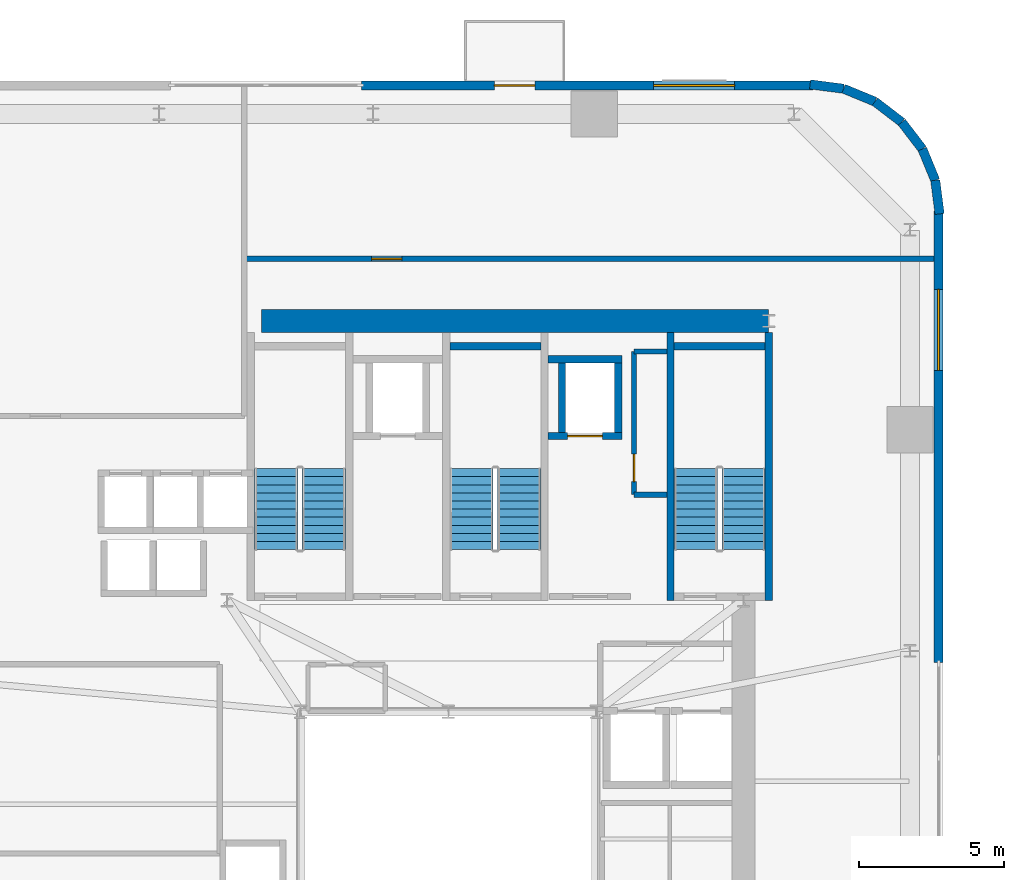
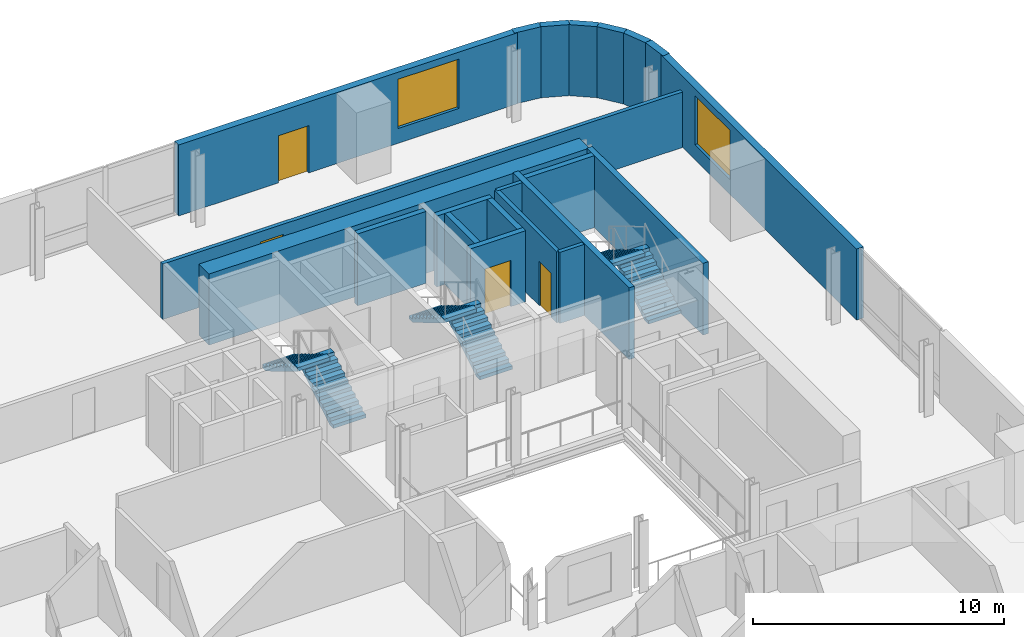
# One storey, part 9 of 11: 21 walls, 6 stair flights, 4 doors, 2 windows, 6 openings, 3 elements without a shape of their own.
"""IFC4 building model written with IfcOpenShell, lengths in metres."""

from ifc_helpers import new_model, si_unit, direction, frame, frame_2d, origin, place, context, subcontext, project, spatial, polyline, rectangle, outline, extrude, source, transform, mapped, material, layer, layer_set, type_object, element, fill, aggregate, save


model = new_model("IFC4")

# Units and contexts
model_context = context("Model", 3, precision=1e-05, world=origin(), true_north=direction((0.0, 1.0)))
body_context = subcontext(model_context, "Body", "Model", "MODEL_VIEW")
ifc_project = project(units=[si_unit("LENGTHUNIT", "METRE"), si_unit("AREAUNIT", "SQUARE_METRE"), si_unit("VOLUMEUNIT", "CUBIC_METRE"), si_unit("PLANEANGLEUNIT", "RADIAN"), si_unit("MASSUNIT", "GRAM", prefix="KILO")], contexts=[model_context])

# Site, building, storey
site_placement = place(None, origin())
site = spatial("IfcSite", under=ifc_project, at=site_placement, CompositionType="ELEMENT")
building_placement = place(site_placement, origin())
building = spatial("IfcBuilding", under=site, at=building_placement, Name="Vardaveli Station Tower", CompositionType="ELEMENT")
storey_placement = place(building_placement, frame((0.0, 0.0, 155.699951171875)))
storey = spatial("IfcBuildingStorey", under=building, at=storey_placement, Name="L40", CompositionType="ELEMENT", Elevation=155.699951171875)

# Wall
ifc_material_1 = material(Name="Concrete C50/60", Category="concrete")
ifc_layer_1 = layer(ifc_material_1, 0.800048828125, Name="Concrete C50/60")
ifc_layer_set_1 = layer_set([ifc_layer_1], Name="Concrete C50/60")
wall_type_1 = type_object("IfcWallType", Name="WAL-CORE-800", PredefinedType="SHEAR", material=ifc_layer_set_1)
shared_shape_1 = source(origin(), body_context, "Body", "SweptSolid", [
    extrude(rectangle(XDim=17.52001953125, YDim=0.800048828125, at=frame_2d((8.760009765625, 0.0))), origin(), (0.0, 0.0, 1.0), 3.4599609375),
])
wall_1_placement = place(storey_placement, frame((29.85009765625, 40.300048828125, 0.0), z_axis=(0.0, 0.0, 1.0), x_axis=(1.0, 0.0, 0.0)))
element("IfcWall", 1, at=wall_1_placement, inside=storey, type_object=wall_type_1, Name="SW-L40-NORTH", PredefinedType="SHEAR", context=body_context, shape_type="MappedRepresentation", body=[
    mapped(shared_shape_1, transform((0.0, 0.0, 0.0), scale=1.0)),
])

# Wall, openings, door, window
ifc_material_2 = material(Name="Precast concrete C45/55", Category="concrete")
ifc_layer_2 = layer(ifc_material_2, 0.320068359375, Name="Precast concrete C45/55")
ifc_layer_set_2 = layer_set([ifc_layer_2], Name="Precast concrete C45/55")
wall_type_2 = type_object("IfcWallType", Name="WAL-EXT-STONE-320", PredefinedType="SOLIDWALL", material=ifc_layer_set_2)
shared_shape_2 = source(origin(), body_context, "Body", "SweptSolid", [
    extrude(rectangle(XDim=15.599853515625, YDim=0.320068359375, at=frame_2d((7.7998046875, 0.0))), origin(), (0.0, 0.0, 1.0), 3.4599609375),
])
wall_2_placement = place(storey_placement, frame((48.89990234375, 48.43994140625, 0.0), z_axis=(0.0, 0.0, 1.0), x_axis=(-1.0, 0.0, 0.0)))
wall_2 = element("IfcWall", 2, at=wall_2_placement, inside=storey, type_object=wall_type_2, Name="EW-L40-N1", PredefinedType="SOLIDWALL", context=body_context, shape_type="MappedRepresentation", body=[
    mapped(shared_shape_2, transform((0.0, 0.0, 0.0), scale=1.0)),
])
shared_shape_3 = source(origin(), body_context, "Body", "SweptSolid", [
    extrude(rectangle(XDim=1.39990234375, YDim=2.300048828125, at=frame_2d((0.699951171875, 1.14990234375))), frame((0.0, 0.169921875, 0.0), z_axis=(0.0, -1.0, 0.0), x_axis=(1.0, 0.0, 0.0)), (0.0, 0.0, 1.0), 0.340087890625),
])
opening_1_placement = place(wall_2_placement, frame((9.6103515625, 0.0, 0.0)))
opening_1 = element("IfcOpeningElement", 3, at=opening_1_placement, cuts=wall_2, Name="Opening D-09", PredefinedType="OPENING", context=body_context, shape_type="MappedRepresentation", body=[
    mapped(shared_shape_3, transform((0.0, 0.0, 0.0), scale=1.0)),
])
shared_shape_4 = source(origin(), body_context, "Body", "SweptSolid", [
    extrude(rectangle(XDim=2.800048828125, YDim=2.39990234375, at=frame_2d((1.39990234375, 1.199951171875))), frame((0.0, 0.169921875, 0.0), z_axis=(0.0, -1.0, 0.0), x_axis=(1.0, 0.0, 0.0)), (0.0, 0.0, 1.0), 0.340087890625),
])
opening_2_placement = place(wall_2_placement, frame((2.705078125, 0.0, 0.719970703125)))
opening_2 = element("IfcOpeningElement", 4, at=opening_2_placement, cuts=wall_2, Name="Opening W-04", PredefinedType="OPENING", context=body_context, shape_type="MappedRepresentation", body=[
    mapped(shared_shape_4, transform((0.0, 0.0, 0.0), scale=1.0)),
])
ifc_material_3 = material(Name="Thermally broken aluminium glass", Category="aluminium")
door_type_1 = type_object("IfcDoorType", Name="DR-LOG-1400x2300", OperationType="DOUBLE_DOOR_SLIDING", PredefinedType="DOOR", material=ifc_material_3)
shared_shape_5 = source(origin(), body_context, "Body", "SweptSolid", [
    extrude(rectangle(XDim=1.39990234375, YDim=2.300048828125, at=frame_2d((0.699951171875, 1.14990234375))), frame((0.0, 0.02490234375, 0.0), z_axis=(0.0, -1.0, 0.0), x_axis=(1.0, 0.0, 0.0)), (0.0, 0.0, 1.0), 0.050048828125),
])
door_1_placement = place(opening_1_placement, frame((1.39990234375, 0.0, 0.0), z_axis=(0.0, 0.0, 1.0), x_axis=(-1.0, 0.0, 0.0)))
door_1 = element("IfcDoor", 5, at=door_1_placement, inside=storey, type_object=door_type_1, Name="DLG-L40-N", OperationType="DOUBLE_DOOR_SLIDING", OverallHeight=2.300048828125, OverallWidth=1.39990234375, PredefinedType="DOOR", context=body_context, shape_type="MappedRepresentation", body=[
    mapped(shared_shape_5, transform((0.0, 0.0, 0.0), scale=1.0)),
])
fill(opening_1, door_1)
ifc_material_4 = material(Name="Low-E solar-control glass", Category="glass")
window_type = type_object("IfcWindowType", Name="WIN-SUITE-2800x2400", PartitioningType="SINGLE_PANEL", PredefinedType="WINDOW", material=ifc_material_4)
shared_shape_6 = source(origin(), body_context, "Body", "SweptSolid", [
    extrude(rectangle(XDim=2.800048828125, YDim=2.39990234375, at=frame_2d((1.39990234375, 1.199951171875))), frame((0.0, 0.030029296875, 0.0), z_axis=(0.0, -1.0, 0.0), x_axis=(1.0, 0.0, 0.0)), (0.0, 0.0, 1.0), 0.06005859375),
])
window_1_placement = place(opening_2_placement, origin())
window_1 = element("IfcWindow", 6, at=window_1_placement, inside=storey, type_object=window_type, Name="WN-L40-N1", OverallHeight=2.39990234375, OverallWidth=2.800048828125, PartitioningType="SINGLE_PANEL", PredefinedType="WINDOW", context=body_context, shape_type="MappedRepresentation", body=[
    mapped(shared_shape_6, transform((0.0, 0.0, 0.0), scale=1.0)),
])
fill(opening_2, window_1)

# Wall, opening, window
shared_shape_7 = source(origin(), body_context, "Body", "SweptSolid", [
    extrude(rectangle(XDim=15.60009765625, YDim=0.320068359375, at=frame_2d((7.800048828125, 0.0))), origin(), (0.0, 0.0, 1.0), 3.4599609375),
])
wall_3_placement = place(storey_placement, frame((53.239990234375, 28.5, 0.0), z_axis=(0.0, 0.0, 1.0), x_axis=(0.0, 1.0, 0.0)))
wall_3 = element("IfcWall", 7, at=wall_3_placement, inside=storey, type_object=wall_type_2, Name="EW-L40-E2", PredefinedType="SOLIDWALL", context=body_context, shape_type="MappedRepresentation", body=[
    mapped(shared_shape_7, transform((0.0, 0.0, 0.0), scale=1.0)),
])
opening_3_placement = place(wall_3_placement, frame((10.094970703125, 0.0, 0.719970703125)))
opening_3 = element("IfcOpeningElement", 8, at=opening_3_placement, cuts=wall_3, Name="Opening W-04", PredefinedType="OPENING", context=body_context, shape_type="MappedRepresentation", body=[
    mapped(shared_shape_4, transform((0.0, 0.0, 0.0), scale=1.0)),
])
window_2_placement = place(opening_3_placement, origin())
window_2 = element("IfcWindow", 9, at=window_2_placement, inside=storey, type_object=window_type, Name="WN-L40-E2", OverallHeight=2.39990234375, OverallWidth=2.800048828125, PartitioningType="SINGLE_PANEL", PredefinedType="WINDOW", context=body_context, shape_type="MappedRepresentation", body=[
    mapped(shared_shape_6, transform((0.0, 0.0, 0.0), scale=1.0)),
])
fill(opening_3, window_2)

# Walls
shared_shape_8 = source(origin(), body_context, "Body", "SweptSolid", [
    extrude(rectangle(XDim=1.1689453125, YDim=0.320068359375, at=frame_2d((0.58447265625, 0.0))), origin(), (0.0, 0.0, 1.0), 3.4599609375),
])
wall_4_placement = place(storey_placement, frame((52.679931640625, 46.2412109375, 0.0), z_axis=(0.0, 0.0, 1.0), x_axis=(-0.608387696831, 0.793639975269, 0.0)))
element("IfcWall", 10, at=wall_4_placement, inside=storey, type_object=wall_type_2, Name="EW-L40-CR3-3", PredefinedType="SOLIDWALL", context=body_context, shape_type="MappedRepresentation", body=[
    mapped(shared_shape_8, transform((0.0, 0.0, 0.0), scale=1.0)),
])
shared_shape_9 = source(origin(), body_context, "Body", "SweptSolid", [
    extrude(rectangle(XDim=1.168701171875, YDim=0.320068359375, at=frame_2d((0.58447265625, 0.0))), origin(), (0.0, 0.0, 1.0), 3.4599609375),
])
wall_5_placement = place(storey_placement, frame((51.96875, 47.1689453125, 0.0), z_axis=(0.0, 0.0, 1.0), x_axis=(-0.793663520347, 0.608356981114, 0.0)))
element("IfcWall", 11, at=wall_5_placement, inside=storey, type_object=wall_type_2, Name="EW-L40-CR3-4", PredefinedType="SOLIDWALL", context=body_context, shape_type="MappedRepresentation", body=[
    mapped(shared_shape_9, transform((0.0, 0.0, 0.0), scale=1.0)),
])
shared_shape_10 = source(origin(), body_context, "Body", "SweptSolid", [
    extrude(rectangle(XDim=1.17041015625, YDim=0.320068359375, at=frame_2d((0.585205078125, 0.0))), origin(), (0.0, 0.0, 1.0), 3.4599609375),
])
for number, where, z_axis, x_axis, name in (
    (12, (53.275634765625, 43.99951171875, 0.0), (0.0, 0.0, 1.0), (-0.128295670475, 0.991735963317, 0.0), "EW-L40-CR3-1"),
    (13, (49.960205078125, 48.325439453125, 0.0), (0.0, 0.0, 1.0), (-0.991735963317, 0.128295670475, 0.0), "EW-L40-CR3-6"),
):
    element("IfcWall", number, at=place(storey_placement, frame(where, z_axis=z_axis, x_axis=x_axis)), inside=storey, type_object=wall_type_2, Name=name, PredefinedType="SOLIDWALL", context=body_context, shape_type="MappedRepresentation", body=[
        mapped(shared_shape_10, transform((0.0, 0.0, 0.0), scale=1.0)),
    ])
shared_shape_11 = source(origin(), body_context, "Body", "SweptSolid", [
    extrude(rectangle(XDim=1.169189453125, YDim=0.320068359375, at=frame_2d((0.58447265625, 0.0))), origin(), (0.0, 0.0, 1.0), 3.4599609375),
])
for number, where, z_axis, x_axis, name in (
    (14, (53.12548828125, 45.16015625, 0.0), (0.0, 0.0, 1.0), (-0.381054331552, 0.924552646638, 0.0), "EW-L40-CR3-2"),
    (15, (51.041259765625, 47.8798828125, 0.0), (0.0, 0.0, 1.0), (-0.924552646638, 0.381054331552, 0.0), "EW-L40-CR3-5"),
):
    element("IfcWall", number, at=place(storey_placement, frame(where, z_axis=z_axis, x_axis=x_axis)), inside=storey, type_object=wall_type_2, Name=name, PredefinedType="SOLIDWALL", context=body_context, shape_type="MappedRepresentation", body=[
        mapped(shared_shape_11, transform((0.0, 0.0, 0.0), scale=1.0)),
    ])
ifc_material_5 = material(Name="Concrete C40/50", Category="concrete")
ifc_layer_3 = layer(ifc_material_5, 0.25, Name="Concrete C40/50")
ifc_layer_set_3 = layer_set([ifc_layer_3], Name="Concrete C40/50")
wall_type_3 = type_object("IfcWallType", Name="WAL-SHAFT-250", PredefinedType="SOLIDWALL", material=ifc_layer_set_3)
shared_shape_12 = source(origin(), body_context, "Body", "SweptSolid", [
    extrude(rectangle(XDim=9.25, YDim=0.25, at=frame_2d((4.625, 0.0))), origin(), (0.0, 0.0, 1.0), 3.5),
])
for number, where, z_axis, x_axis, name in (
    (16, (43.97509765625, 30.64990234375, 0.0), (0.0, 0.0, 1.0), (0.0, 1.0, 0.0), "W-L40-ST-3W"),
    (17, (47.375, 30.64990234375, 0.0), (0.0, 0.0, 1.0), (0.0, 1.0, 0.0), "W-L40-ST-3E"),
):
    element("IfcWall", number, at=place(storey_placement, frame(where, z_axis=z_axis, x_axis=x_axis)), inside=storey, type_object=wall_type_3, Name=name, PredefinedType="SOLIDWALL", context=body_context, shape_type="MappedRepresentation", body=[
        mapped(shared_shape_12, transform((0.0, 0.0, 0.0), scale=1.0)),
    ])
shared_shape_13 = source(origin(), body_context, "Body", "SweptSolid", [
    extrude(rectangle(XDim=3.14990234375, YDim=0.25, at=frame_2d((1.574951171875, 0.0))), origin(), (0.0, 0.0, 1.0), 3.5),
])
for number, where, z_axis, x_axis, name in (
    (18, (36.35009765625, 39.425048828125, 0.0), (0.0, 0.0, 1.0), (1.0, 0.0, 0.0), "W-L40-ST-2N"),
    (19, (44.10009765625, 39.425048828125, 0.0), (0.0, 0.0, 1.0), (1.0, 0.0, 0.0), "W-L40-ST-3N"),
):
    element("IfcWall", number, at=place(storey_placement, frame(where, z_axis=z_axis, x_axis=x_axis)), inside=storey, type_object=wall_type_3, Name=name, PredefinedType="SOLIDWALL", context=body_context, shape_type="MappedRepresentation", body=[
        mapped(shared_shape_13, transform((0.0, 0.0, 0.0), scale=1.0)),
    ])
shared_shape_14 = source(origin(), body_context, "Body", "SweptSolid", [
    extrude(rectangle(XDim=2.400146484375, YDim=0.25, at=frame_2d((1.2001953125, 0.0))), origin(), (0.0, 0.0, 1.0), 3.4599609375),
])
for number, where, z_axis, x_axis, name in (
    (20, (40.22509765625, 36.449951171875, 0.0), (0.0, 0.0, 1.0), (0.0, 1.0, 0.0), "SHW-FFL-02-L40-W"),
    (21, (42.175048828125, 36.449951171875, 0.0), (0.0, 0.0, 1.0), (0.0, 1.0, 0.0), "SHW-FFL-02-L40-E"),
):
    element("IfcWall", number, at=place(storey_placement, frame(where, z_axis=z_axis, x_axis=x_axis)), inside=storey, type_object=wall_type_3, Name=name, PredefinedType="SOLIDWALL", context=body_context, shape_type="MappedRepresentation", body=[
        mapped(shared_shape_14, transform((0.0, 0.0, 0.0), scale=1.0)),
    ])

# Wall, opening, door
shared_shape_15 = source(origin(), body_context, "Body", "SweptSolid", [
    extrude(rectangle(XDim=2.550048828125, YDim=0.25, at=frame_2d((1.27490234375, 0.0))), origin(), (0.0, 0.0, 1.0), 3.4599609375),
])
wall_6_placement = place(storey_placement, frame((39.75, 36.324951171875, 0.0), z_axis=(0.0, 0.0, 1.0), x_axis=(1.0, 0.0, 0.0)))
wall_6 = element("IfcWall", 22, at=wall_6_placement, inside=storey, type_object=wall_type_3, Name="SHW-FFL-02-L40-S", PredefinedType="SOLIDWALL", context=body_context, shape_type="MappedRepresentation", body=[
    mapped(shared_shape_15, transform((0.0, 0.0, 0.0), scale=1.0)),
])
shared_shape_16 = source(origin(), body_context, "Body", "SweptSolid", [
    extrude(rectangle(XDim=1.199951171875, YDim=2.25, at=frame_2d((0.60009765625, 1.125))), frame((0.0, 0.135009765625, 0.0), z_axis=(0.0, -1.0, 0.0), x_axis=(1.0, 0.0, 0.0)), (0.0, 0.0, 1.0), 0.27001953125),
])
opening_4_placement = place(wall_6_placement, frame((0.675048828125, 0.0, 0.0)))
opening_4 = element("IfcOpeningElement", 23, at=opening_4_placement, cuts=wall_6, Name="Opening LD-02", PredefinedType="OPENING", context=body_context, shape_type="MappedRepresentation", body=[
    mapped(shared_shape_16, transform((0.0, 0.0, 0.0), scale=1.0)),
])
ifc_material_6 = material(Name="Brushed stainless steel", Category="steel")
door_type_2 = type_object("IfcDoorType", Name="DR-LD-1200x2250", OperationType="DOUBLE_DOOR_SLIDING", PredefinedType="DOOR", material=ifc_material_6)
shared_shape_17 = source(origin(), body_context, "Body", "SweptSolid", [
    extrude(rectangle(XDim=1.199951171875, YDim=2.25, at=frame_2d((0.60009765625, 1.125))), frame((0.0, 0.02490234375, 0.0), z_axis=(0.0, -1.0, 0.0), x_axis=(1.0, 0.0, 0.0)), (0.0, 0.0, 1.0), 0.050048828125),
])
door_2_placement = place(opening_4_placement, origin())
door_2 = element("IfcDoor", 24, at=door_2_placement, inside=storey, type_object=door_type_2, Name="LD-FFL-02-L40", OperationType="DOUBLE_DOOR_SLIDING", OverallHeight=2.25, OverallWidth=1.199951171875, PredefinedType="DOOR", context=body_context, shape_type="MappedRepresentation", body=[
    mapped(shared_shape_17, transform((0.0, 0.0, 0.0), scale=1.0)),
])
fill(opening_4, door_2)

# Wall
wall_7_placement = place(storey_placement, frame((39.75, 38.97509765625, 0.0), z_axis=(0.0, 0.0, 1.0), x_axis=(1.0, 0.0, 0.0)))
element("IfcWall", 25, at=wall_7_placement, inside=storey, type_object=wall_type_3, Name="SHW-FFL-02-L40-N", PredefinedType="SOLIDWALL", context=body_context, shape_type="MappedRepresentation", body=[
    mapped(shared_shape_15, transform((0.0, 0.0, 0.0), scale=1.0)),
])

# Wall, opening, door
ifc_material_7 = material(Name="Fire-rated gypsum stud partition")
ifc_layer_4 = layer(ifc_material_7, 0.179931640625, Name="Fire-rated gypsum stud partition")
ifc_layer_set_4 = layer_set([ifc_layer_4], Name="Fire-rated gypsum stud partition")
wall_type_4 = type_object("IfcWallType", Name="WAL-CORR-180", PredefinedType="PARTITIONING", material=ifc_layer_set_4)
shared_shape_18 = source(origin(), body_context, "Body", "SweptSolid", [
    extrude(rectangle(XDim=4.949951171875, YDim=0.179931640625, at=frame_2d((2.47509765625, 0.0))), origin(), (0.0, 0.0, 1.0), 3.4599609375),
])
wall_8_placement = place(storey_placement, frame((42.719970703125, 34.300048828125, 0.0), z_axis=(0.0, 0.0, 1.0), x_axis=(0.0, 1.0, 0.0)))
wall_8 = element("IfcWall", 26, at=wall_8_placement, inside=storey, type_object=wall_type_4, Name="W-L40-CBS1-W", PredefinedType="PARTITIONING", context=body_context, shape_type="MappedRepresentation", body=[
    mapped(shared_shape_18, transform((0.0, 0.0, 0.0), scale=1.0)),
])
shared_shape_19 = source(origin(), body_context, "Body", "SweptSolid", [
    extrude(rectangle(XDim=0.949951171875, YDim=2.14990234375, at=frame_2d((0.47509765625, 1.074951171875))), frame((0.0, 0.10009765625, 0.0), z_axis=(0.0, -1.0, 0.0), x_axis=(1.0, 0.0, 0.0)), (0.0, 0.0, 1.0), 0.199951171875),
])
opening_5_placement = place(wall_8_placement, frame((0.449951171875, 0.0, 0.0)))
opening_5 = element("IfcOpeningElement", 27, at=opening_5_placement, cuts=wall_8, Name="Opening D-06", PredefinedType="OPENING", context=body_context, shape_type="MappedRepresentation", body=[
    mapped(shared_shape_19, transform((0.0, 0.0, 0.0), scale=1.0)),
])
ifc_material_8 = material(Name="Oak veneer acoustic fire door")
door_type_3 = type_object("IfcDoorType", Name="DR-GUEST-950x2150", OperationType="NOTDEFINED", PredefinedType="DOOR", material=ifc_material_8)
shared_shape_20 = source(origin(), body_context, "Body", "SweptSolid", [
    extrude(rectangle(XDim=0.949951171875, YDim=2.14990234375, at=frame_2d((0.47509765625, 1.074951171875))), frame((0.0, 0.02490234375, 0.0), z_axis=(0.0, -1.0, 0.0), x_axis=(1.0, 0.0, 0.0)), (0.0, 0.0, 1.0), 0.050048828125),
])
door_3_placement = place(opening_5_placement, origin())
door_3 = element("IfcDoor", 28, at=door_3_placement, inside=storey, type_object=door_type_3, Name="D-L40-HKP", OperationType="SINGLE_SWING_LEFT", OverallHeight=2.14990234375, OverallWidth=0.949951171875, PredefinedType="DOOR", context=body_context, shape_type="MappedRepresentation", body=[
    mapped(shared_shape_20, transform((0.0, 0.0, 0.0), scale=1.0)),
])
fill(opening_5, door_3)

# Walls
shared_shape_21 = source(origin(), body_context, "Body", "SweptSolid", [
    extrude(rectangle(XDim=1.1279296875, YDim=0.179931640625, at=frame_2d((0.56396484375, 0.0))), origin(), (0.0, 0.0, 1.0), 3.4599609375),
])
for number, where, z_axis, x_axis, name in (
    (29, (42.719970703125, 34.300048828125, 0.0), (0.0, 0.0, 1.0), (1.0, 0.0, 0.0), "W-L40-CBS1-S"),
    (30, (42.719970703125, 39.25, 0.0), (0.0, 0.0, 1.0), (1.0, 0.0, 0.0), "W-L40-CBS1-N"),
):
    element("IfcWall", number, at=place(storey_placement, frame(where, z_axis=z_axis, x_axis=x_axis)), inside=storey, type_object=wall_type_4, Name=name, PredefinedType="PARTITIONING", context=body_context, shape_type="MappedRepresentation", body=[
        mapped(shared_shape_21, transform((0.0, 0.0, 0.0), scale=1.0)),
    ])

# Wall, opening, door
shared_shape_22 = source(origin(), body_context, "Body", "SweptSolid", [
    extrude(rectangle(XDim=23.927978515625, YDim=0.179931640625, at=frame_2d((11.9638671875, 0.0))), origin(), (0.0, 0.0, 1.0), 2.7021484375),
])
wall_9_placement = place(storey_placement, frame((29.14990234375, 42.449951171875, 0.0), z_axis=(0.0, 0.0, 1.0), x_axis=(1.0, 0.0, 0.0)))
wall_9 = element("IfcWall", 31, at=wall_9_placement, inside=storey, type_object=wall_type_4, Name="W-L40-NPS", PredefinedType="PARTITIONING", context=body_context, shape_type="MappedRepresentation", body=[
    mapped(shared_shape_22, transform((0.0, 0.0, 0.0), scale=1.0)),
])
shared_shape_23 = source(origin(), body_context, "Body", "SweptSolid", [
    extrude(rectangle(XDim=1.050048828125, YDim=2.199951171875, at=frame_2d((0.52490234375, 1.10009765625))), frame((0.0, 0.10009765625, 0.0), z_axis=(0.0, -1.0, 0.0), x_axis=(1.0, 0.0, 0.0)), (0.0, 0.0, 1.0), 0.199951171875),
])
opening_6_placement = place(wall_9_placement, frame((4.5, 0.0, 0.0)))
opening_6 = element("IfcOpeningElement", 32, at=opening_6_placement, cuts=wall_9, Name="Opening D-05", PredefinedType="OPENING", context=body_context, shape_type="MappedRepresentation", body=[
    mapped(shared_shape_23, transform((0.0, 0.0, 0.0), scale=1.0)),
])
ifc_material_9 = material(Name="Walnut veneer acoustic fire door")
door_type_4 = type_object("IfcDoorType", Name="DR-SUITE-1050x2200", OperationType="NOTDEFINED", PredefinedType="DOOR", material=ifc_material_9)
shared_shape_24 = source(origin(), body_context, "Body", "SweptSolid", [
    extrude(rectangle(XDim=1.050048828125, YDim=2.199951171875, at=frame_2d((0.52490234375, 1.10009765625))), frame((0.0, 0.02490234375, 0.0), z_axis=(0.0, -1.0, 0.0), x_axis=(1.0, 0.0, 0.0)), (0.0, 0.0, 1.0), 0.050048828125),
])
door_4_placement = place(opening_6_placement, origin())
door_4 = element("IfcDoor", 33, at=door_4_placement, inside=storey, type_object=door_type_4, Name="D-L40-NP1", OperationType="SINGLE_SWING_RIGHT", OverallHeight=2.199951171875, OverallWidth=1.050048828125, PredefinedType="DOOR", context=body_context, shape_type="MappedRepresentation", body=[
    mapped(shared_shape_24, transform((0.0, 0.0, 0.0), scale=1.0)),
])
fill(opening_6, door_4)

# Stair, stair flights
stair_type = type_object("IfcStairType", Name="STR-CORE-1500", PredefinedType="HALF_TURN_STAIR", material=ifc_material_5)
stair_1_placement = place(storey_placement, origin())
stair_1 = element("IfcStair", 34, at=stair_1_placement, inside=storey, type_object=stair_type, Name="L40 ST-1", PredefinedType="HALF_TURN_STAIR")
stair_flight_type = type_object("IfcStairFlightType", Name="SFL-CORE-1500", PredefinedType="STRAIGHT", material=ifc_material_5)
shared_shape_25 = source(origin(), body_context, "Body", "SweptSolid", [
    extrude(outline(polyline([(0.0, 0.0), (0.0, 0.168212890625), (0.280029296875, 0.168212890625), (0.280029296875, 0.33642578125), (0.56005859375, 0.33642578125), (0.56005859375, 0.504638671875), (0.840087890625, 0.504638671875), (0.840087890625, 0.672607421875), (1.1201171875, 0.672607421875), (1.1201171875, 0.8408203125), (1.39990234375, 0.8408203125), (1.39990234375, 1.009033203125), (1.679931640625, 1.009033203125), (1.679931640625, 1.17724609375), (1.9599609375, 1.17724609375), (1.9599609375, 1.345458984375), (2.239990234375, 1.345458984375), (2.239990234375, 1.513671875), (2.52001953125, 1.513671875), (2.52001953125, 1.681884765625), (2.800048828125, 1.681884765625), (2.800048828125, 1.85009765625), (2.800048828125, 1.5068359375), (0.291015625, 0.0), (0.0, 0.0)])), frame((0.0, 0.75, 0.0), z_axis=(0.0, -1.0, 0.0), x_axis=(1.0, 0.0, 0.0)), (0.0, 0.0, 1.0), 1.5),
])
stair_flight_1_placement = place(storey_placement, frame((32.0, 32.39990234375, 0.0), z_axis=(0.0, 0.0, 1.0), x_axis=(0.0, 1.0, 0.0)))
stair_flight_1 = element("IfcStairFlight", 35, at=stair_flight_1_placement, type_object=stair_flight_type, Name="ST-1 flight 1", NumberOfRisers=11, NumberOfTreads=10, PredefinedType="STRAIGHT", RiserHeight=0.168181818, TreadLength=0.28, context=body_context, shape_type="MappedRepresentation", body=[
    mapped(shared_shape_25, transform((0.0, 0.0, 0.0), scale=1.0)),
])
stair_flight_2_placement = place(storey_placement, frame((30.35009765625, 35.199951171875, 1.85009765625), z_axis=(0.0, 0.0, 1.0), x_axis=(0.0, -1.0, 0.0)))
stair_flight_2 = element("IfcStairFlight", 36, at=stair_flight_2_placement, type_object=stair_flight_type, Name="ST-1 flight 2", NumberOfRisers=11, NumberOfTreads=10, PredefinedType="STRAIGHT", RiserHeight=0.168181818, TreadLength=0.28, context=body_context, shape_type="MappedRepresentation", body=[
    mapped(shared_shape_25, transform((0.0, 0.0, 0.0), scale=1.0)),
])
aggregate(stair_1, [stair_flight_1, stair_flight_2])

stair_2_placement = place(storey_placement, origin())
stair_2 = element("IfcStair", 37, at=stair_2_placement, inside=storey, type_object=stair_type, Name="L40 ST-2", PredefinedType="HALF_TURN_STAIR")
stair_flight_3_placement = place(storey_placement, frame((38.75, 32.39990234375, 0.0), z_axis=(0.0, 0.0, 1.0), x_axis=(0.0, 1.0, 0.0)))
stair_flight_3 = element("IfcStairFlight", 38, at=stair_flight_3_placement, type_object=stair_flight_type, Name="ST-2 flight 1", NumberOfRisers=11, NumberOfTreads=10, PredefinedType="STRAIGHT", RiserHeight=0.168181818, TreadLength=0.28, context=body_context, shape_type="MappedRepresentation", body=[
    mapped(shared_shape_25, transform((0.0, 0.0, 0.0), scale=1.0)),
])
stair_flight_4_placement = place(storey_placement, frame((37.10009765625, 35.199951171875, 1.85009765625), z_axis=(0.0, 0.0, 1.0), x_axis=(0.0, -1.0, 0.0)))
stair_flight_4 = element("IfcStairFlight", 39, at=stair_flight_4_placement, type_object=stair_flight_type, Name="ST-2 flight 2", NumberOfRisers=11, NumberOfTreads=10, PredefinedType="STRAIGHT", RiserHeight=0.168181818, TreadLength=0.28, context=body_context, shape_type="MappedRepresentation", body=[
    mapped(shared_shape_25, transform((0.0, 0.0, 0.0), scale=1.0)),
])
aggregate(stair_2, [stair_flight_3, stair_flight_4])

stair_3_placement = place(storey_placement, origin())
stair_3 = element("IfcStair", 40, at=stair_3_placement, inside=storey, type_object=stair_type, Name="L40 ST-3", PredefinedType="HALF_TURN_STAIR")
stair_flight_5_placement = place(storey_placement, frame((46.5, 32.39990234375, 0.0), z_axis=(0.0, 0.0, 1.0), x_axis=(0.0, 1.0, 0.0)))
stair_flight_5 = element("IfcStairFlight", 41, at=stair_flight_5_placement, type_object=stair_flight_type, Name="ST-3 flight 1", NumberOfRisers=11, NumberOfTreads=10, PredefinedType="STRAIGHT", RiserHeight=0.168181818, TreadLength=0.28, context=body_context, shape_type="MappedRepresentation", body=[
    mapped(shared_shape_25, transform((0.0, 0.0, 0.0), scale=1.0)),
])
stair_flight_6_placement = place(storey_placement, frame((44.85009765625, 35.199951171875, 1.85009765625), z_axis=(0.0, 0.0, 1.0), x_axis=(0.0, -1.0, 0.0)))
stair_flight_6 = element("IfcStairFlight", 42, at=stair_flight_6_placement, type_object=stair_flight_type, Name="ST-3 flight 2", NumberOfRisers=11, NumberOfTreads=10, PredefinedType="STRAIGHT", RiserHeight=0.168181818, TreadLength=0.28, context=body_context, shape_type="MappedRepresentation", body=[
    mapped(shared_shape_25, transform((0.0, 0.0, 0.0), scale=1.0)),
])
aggregate(stair_3, [stair_flight_5, stair_flight_6])

save(model, "model.ifc")
